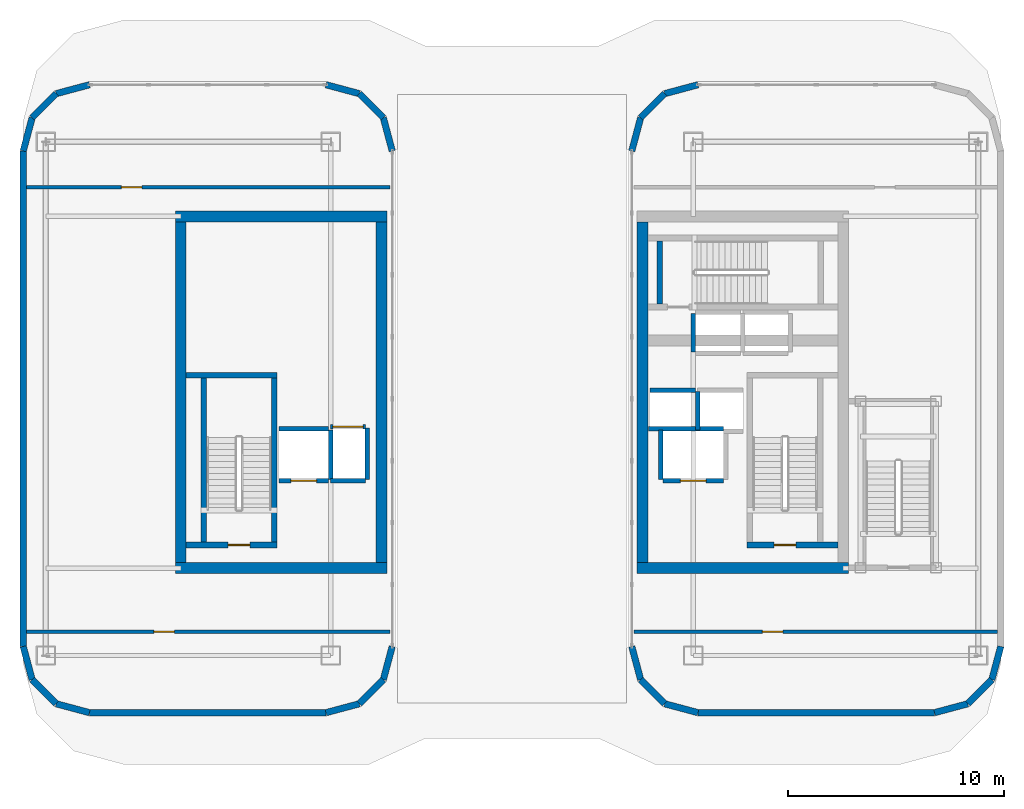
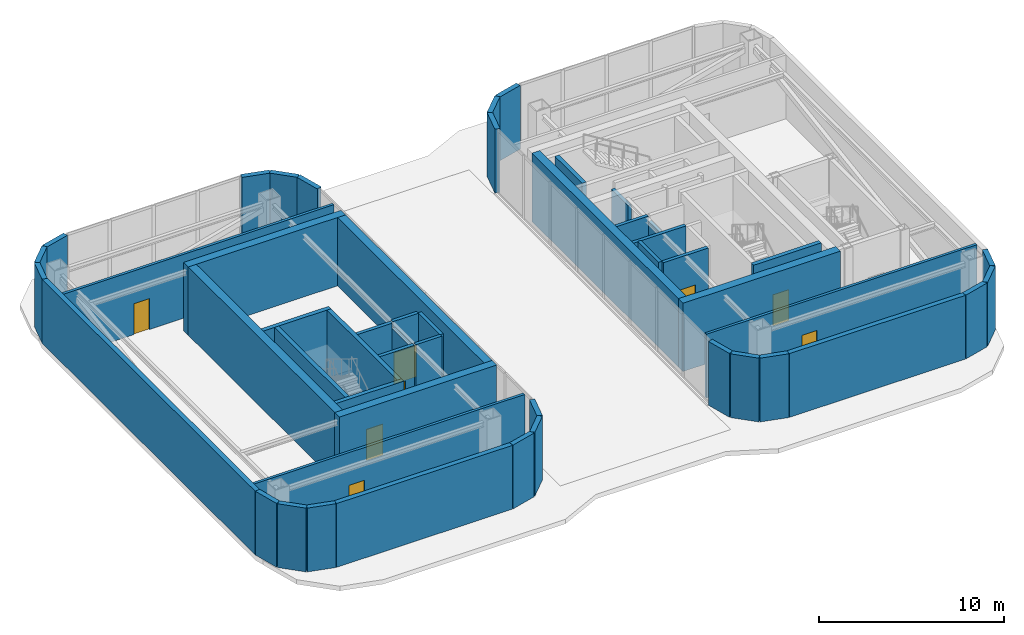
# One storey, part 11 of 14: 51 walls, 8 doors, 8 openings.
"""IFC4 building model written with IfcOpenShell, lengths in metres."""

from ifc_helpers import new_model, si_unit, direction, frame, frame_2d, origin, place, context, subcontext, project, spatial, rectangle, extrude, material, layer, layer_set, type_object, element, fill, save


model = new_model("IFC4")

# Units and contexts
model_context = context("Model", 3, precision=1e-05, world=origin(), true_north=direction((0.0, 1.0)))
body_context = subcontext(model_context, "Body", "Model", "MODEL_VIEW")
ifc_project = project(units=[si_unit("LENGTHUNIT", "METRE"), si_unit("AREAUNIT", "SQUARE_METRE"), si_unit("VOLUMEUNIT", "CUBIC_METRE"), si_unit("PLANEANGLEUNIT", "RADIAN"), si_unit("MASSUNIT", "GRAM", prefix="KILO")], contexts=[model_context])

# Site, building, storey
site_placement = place(None, origin())
site = spatial("IfcSite", under=ifc_project, at=site_placement, CompositionType="ELEMENT")
building_placement = place(site_placement, origin())
building = spatial("IfcBuilding", under=site, at=building_placement, Name="Kiyonajd Concourse Tower", CompositionType="ELEMENT")
storey_placement = place(building_placement, frame((0.0, 0.0, 354.89990234375)))
storey = spatial("IfcBuildingStorey", under=building, at=storey_placement, Name="L89", CompositionType="ELEMENT", Elevation=354.89990234375)

# Walls
ifc_material_1 = material(Name="Concrete C60/75", Category="concrete")
ifc_layer_1 = layer(ifc_material_1, 0.5)
ifc_layer_set_1 = layer_set([ifc_layer_1], Name="Concrete C60/75")
wall_type_1 = type_object("IfcWallType", Name="WL-CORE-500", PredefinedType="SHEAR", material=ifc_layer_set_1)
for number, where, z_axis, x_axis, name in (
    (1, (32.64990234375, 28.10009765625, 0.0), (0.0, 0.0, 1.0), (0.0, 1.0, 0.0), "L89 West Crown Outer Core Wall"),
    (2, (41.949951171875, 28.10009765625, 0.0), (0.0, 0.0, 1.0), (0.0, 1.0, 0.0), "L89 West Crown Inner Core Wall"),
):
    element("IfcWall", number, at=place(storey_placement, frame(where, z_axis=z_axis, x_axis=x_axis)), inside=storey, type_object=wall_type_1, Name=name, PredefinedType="SHEAR", context=body_context, shape_type="SweptSolid", body=[
        extrude(rectangle(XDim=15.7998046875, YDim=0.5, at=frame_2d((7.89990234375, 0.0))), origin(), (0.0, 0.0, 1.0), 4.5),
    ])
for number, where, z_axis, x_axis, name in (
    (3, (32.39990234375, 27.85009765625, 0.0), (0.0, 0.0, 1.0), (1.0, 0.0, 0.0), "L89 West Crown South Core Wall"),
    (4, (32.39990234375, 44.14990234375, 0.0), (0.0, 0.0, 1.0), (1.0, 0.0, 0.0), "L89 West Crown North Core Wall"),
):
    element("IfcWall", number, at=place(storey_placement, frame(where, z_axis=z_axis, x_axis=x_axis)), inside=storey, type_object=wall_type_1, Name=name, PredefinedType="SHEAR", context=body_context, shape_type="SweptSolid", body=[
        extrude(rectangle(XDim=9.800048828125, YDim=0.5, at=frame_2d((4.89990234375, 0.0))), origin(), (0.0, 0.0, 1.0), 4.5),
    ])
wall_1_placement = place(storey_placement, frame((54.050048828125, 28.10009765625, 0.0), z_axis=(0.0, 0.0, 1.0), x_axis=(0.0, 1.0, 0.0)))
element("IfcWall", 5, at=wall_1_placement, inside=storey, type_object=wall_type_1, Name="L89 East Crown Inner Core Wall", PredefinedType="SHEAR", context=body_context, shape_type="SweptSolid", body=[
    extrude(rectangle(XDim=15.7998046875, YDim=0.5, at=frame_2d((7.89990234375, 0.0))), origin(), (0.0, 0.0, 1.0), 4.5),
])
wall_2_placement = place(storey_placement, frame((53.800048828125, 27.85009765625, 0.0), z_axis=(0.0, 0.0, 1.0), x_axis=(1.0, 0.0, 0.0)))
element("IfcWall", 6, at=wall_2_placement, inside=storey, type_object=wall_type_1, Name="L89 East Crown South Core Wall", PredefinedType="SHEAR", context=body_context, shape_type="SweptSolid", body=[
    extrude(rectangle(XDim=9.800048828125, YDim=0.5, at=frame_2d((4.89990234375, 0.0))), origin(), (0.0, 0.0, 1.0), 4.5),
])
ifc_material_2 = material(Name="Precast concrete C50/60", Category="concrete")
ifc_layer_2 = layer(ifc_material_2, 0.300048828125)
ifc_layer_set_2 = layer_set([ifc_layer_2], Name="Precast concrete C50/60")
wall_type_2 = type_object("IfcWallType", Name="WL-CRN-300", PredefinedType="SOLIDWALL", material=ifc_layer_set_2)
wall_3_placement = place(storey_placement, frame((25.35009765625, 24.2197265625, 0.0), z_axis=(0.0, 0.0, 1.0), x_axis=(0.0, 1.0, 0.0)))
element("IfcWall", 7, at=wall_3_placement, inside=storey, type_object=wall_type_2, Name="L89 W Crown Enclosure Wall 01", PredefinedType="SOLIDWALL", context=body_context, shape_type="SweptSolid", body=[
    extrude(rectangle(XDim=22.96044921875, YDim=0.300048828125, at=frame_2d((11.480224609375, 0.0))), origin(), (0.0, 0.0, 1.0), 4.2001953125),
])
wall_4_placement = place(storey_placement, frame((25.35009765625, 47.18017578125, 0.0), z_axis=(0.0, 0.0, 1.0), x_axis=(0.258871110129, 0.965911874003, 0.0)))
element("IfcWall", 8, at=wall_4_placement, inside=storey, type_object=wall_type_2, Name="L89 W Crown Enclosure Wall 02", PredefinedType="SOLIDWALL", context=body_context, shape_type="SweptSolid", body=[
    extrude(rectangle(XDim=1.5966796875, YDim=0.300048828125, at=frame_2d((0.79833984375, 0.0))), origin(), (0.0, 0.0, 1.0), 4.2001953125),
])
wall_5_placement = place(storey_placement, frame((25.763427734375, 48.722412109375, 0.0), z_axis=(0.0, 0.0, 1.0), x_axis=(0.707184251115, 0.707029302769, 0.0)))
element("IfcWall", 9, at=wall_5_placement, inside=storey, type_object=wall_type_2, Name="L89 W Crown Enclosure Wall 03", PredefinedType="SOLIDWALL", context=body_context, shape_type="SweptSolid", body=[
    extrude(rectangle(XDim=1.57568359375, YDim=0.300048828125, at=frame_2d((0.787841796875, 0.0))), origin(), (0.0, 0.0, 1.0), 4.2001953125),
])
for number, where, z_axis, x_axis, name in (
    (10, (26.877685546875, 49.83642578125, 0.0), (0.0, 0.0, 1.0), (0.96587363116, 0.259013761467, 0.0), "L89 W Crown Enclosure Wall 04"),
    (11, (39.380126953125, 50.25, 0.0), (0.0, 0.0, 1.0), (0.96587363116, -0.259013761467, 0.0), "L89 W Crown Enclosure Wall 06"),
):
    element("IfcWall", number, at=place(storey_placement, frame(where, z_axis=z_axis, x_axis=x_axis)), inside=storey, type_object=wall_type_2, Name=name, PredefinedType="SOLIDWALL", context=body_context, shape_type="SweptSolid", body=[
        extrude(rectangle(XDim=1.5966796875, YDim=0.300048828125, at=frame_2d((0.79833984375, 0.0))), origin(), (0.0, 0.0, 1.0), 4.2001953125),
    ])
wall_6_placement = place(storey_placement, frame((40.92236328125, 49.83642578125, 0.0), z_axis=(0.0, 0.0, 1.0), x_axis=(0.707184251115, -0.707029302769, 0.0)))
element("IfcWall", 12, at=wall_6_placement, inside=storey, type_object=wall_type_2, Name="L89 W Crown Enclosure Wall 07", PredefinedType="SOLIDWALL", context=body_context, shape_type="SweptSolid", body=[
    extrude(rectangle(XDim=1.57568359375, YDim=0.300048828125, at=frame_2d((0.787841796875, 0.0))), origin(), (0.0, 0.0, 1.0), 4.2001953125),
])
wall_7_placement = place(storey_placement, frame((42.03662109375, 48.722412109375, 0.0), z_axis=(0.0, 0.0, 1.0), x_axis=(0.258871110129, -0.965911874003, 0.0)))
element("IfcWall", 13, at=wall_7_placement, inside=storey, type_object=wall_type_2, Name="L89 W Crown Enclosure Wall 08", PredefinedType="SOLIDWALL", context=body_context, shape_type="SweptSolid", body=[
    extrude(rectangle(XDim=1.5966796875, YDim=0.300048828125, at=frame_2d((0.79833984375, 0.0))), origin(), (0.0, 0.0, 1.0), 4.2001953125),
])
wall_8_placement = place(storey_placement, frame((42.449951171875, 24.2197265625, 0.0), z_axis=(0.0, 0.0, 1.0), x_axis=(-0.258909349397, -0.965901624802, 0.0)))
element("IfcWall", 14, at=wall_8_placement, inside=storey, type_object=wall_type_2, Name="L89 W Crown Enclosure Wall 10", PredefinedType="SOLIDWALL", context=body_context, shape_type="SweptSolid", body=[
    extrude(rectangle(XDim=1.596435546875, YDim=0.300048828125, at=frame_2d((0.79833984375, 0.0))), origin(), (0.0, 0.0, 1.0), 4.2001953125),
])
wall_9_placement = place(storey_placement, frame((42.03662109375, 22.677734375, 0.0), z_axis=(0.0, 0.0, 1.0), x_axis=(-0.707106781187, -0.707106781187, 0.0)))
element("IfcWall", 15, at=wall_9_placement, inside=storey, type_object=wall_type_2, Name="L89 W Crown Enclosure Wall 11", PredefinedType="SOLIDWALL", context=body_context, shape_type="SweptSolid", body=[
    extrude(rectangle(XDim=1.57568359375, YDim=0.300048828125, at=frame_2d((0.787841796875, 0.0))), origin(), (0.0, 0.0, 1.0), 4.2001953125),
])
wall_10_placement = place(storey_placement, frame((40.92236328125, 21.5634765625, 0.0), z_axis=(0.0, 0.0, 1.0), x_axis=(-0.96587363116, -0.259013761467, 0.0)))
element("IfcWall", 16, at=wall_10_placement, inside=storey, type_object=wall_type_2, Name="L89 W Crown Enclosure Wall 12", PredefinedType="SOLIDWALL", context=body_context, shape_type="SweptSolid", body=[
    extrude(rectangle(XDim=1.5966796875, YDim=0.300048828125, at=frame_2d((0.79833984375, 0.0))), origin(), (0.0, 0.0, 1.0), 4.2001953125),
])
wall_11_placement = place(storey_placement, frame((39.380126953125, 21.14990234375, 0.0), z_axis=(0.0, 0.0, 1.0), x_axis=(-1.0, 0.0, 0.0)))
element("IfcWall", 17, at=wall_11_placement, inside=storey, type_object=wall_type_2, Name="L89 W Crown Enclosure Wall 13", PredefinedType="SOLIDWALL", context=body_context, shape_type="SweptSolid", body=[
    extrude(rectangle(XDim=10.960205078125, YDim=0.300048828125, at=frame_2d((5.47998046875, 0.0))), origin(), (0.0, 0.0, 1.0), 4.2001953125),
])
wall_12_placement = place(storey_placement, frame((28.419921875, 21.14990234375, 0.0), z_axis=(0.0, 0.0, 1.0), x_axis=(-0.96587363116, 0.259013761467, 0.0)))
element("IfcWall", 18, at=wall_12_placement, inside=storey, type_object=wall_type_2, Name="L89 W Crown Enclosure Wall 14", PredefinedType="SOLIDWALL", context=body_context, shape_type="SweptSolid", body=[
    extrude(rectangle(XDim=1.5966796875, YDim=0.300048828125, at=frame_2d((0.79833984375, 0.0))), origin(), (0.0, 0.0, 1.0), 4.2001953125),
])
wall_13_placement = place(storey_placement, frame((26.877685546875, 21.5634765625, 0.0), z_axis=(0.0, 0.0, 1.0), x_axis=(-0.707106781187, 0.707106781187, 0.0)))
element("IfcWall", 19, at=wall_13_placement, inside=storey, type_object=wall_type_2, Name="L89 W Crown Enclosure Wall 15", PredefinedType="SOLIDWALL", context=body_context, shape_type="SweptSolid", body=[
    extrude(rectangle(XDim=1.57568359375, YDim=0.300048828125, at=frame_2d((0.787841796875, 0.0))), origin(), (0.0, 0.0, 1.0), 4.2001953125),
])
wall_14_placement = place(storey_placement, frame((25.763427734375, 22.677734375, 0.0), z_axis=(0.0, 0.0, 1.0), x_axis=(-0.258909349397, 0.965901624802, 0.0)))
element("IfcWall", 20, at=wall_14_placement, inside=storey, type_object=wall_type_2, Name="L89 W Crown Enclosure Wall 16", PredefinedType="SOLIDWALL", context=body_context, shape_type="SweptSolid", body=[
    extrude(rectangle(XDim=1.596435546875, YDim=0.300048828125, at=frame_2d((0.79833984375, 0.0))), origin(), (0.0, 0.0, 1.0), 4.2001953125),
])
wall_15_placement = place(storey_placement, frame((53.550048828125, 47.18017578125, 0.0), z_axis=(0.0, 0.0, 1.0), x_axis=(0.258871110129, 0.965911874003, 0.0)))
element("IfcWall", 21, at=wall_15_placement, inside=storey, type_object=wall_type_2, Name="L89 E Crown Enclosure Wall 02", PredefinedType="SOLIDWALL", context=body_context, shape_type="SweptSolid", body=[
    extrude(rectangle(XDim=1.5966796875, YDim=0.300048828125, at=frame_2d((0.79833984375, 0.0))), origin(), (0.0, 0.0, 1.0), 4.2001953125),
])
wall_16_placement = place(storey_placement, frame((53.96337890625, 48.722412109375, 0.0), z_axis=(0.0, 0.0, 1.0), x_axis=(0.707184251115, 0.707029302769, 0.0)))
element("IfcWall", 22, at=wall_16_placement, inside=storey, type_object=wall_type_2, Name="L89 E Crown Enclosure Wall 03", PredefinedType="SOLIDWALL", context=body_context, shape_type="SweptSolid", body=[
    extrude(rectangle(XDim=1.57568359375, YDim=0.300048828125, at=frame_2d((0.787841796875, 0.0))), origin(), (0.0, 0.0, 1.0), 4.2001953125),
])
wall_17_placement = place(storey_placement, frame((55.07763671875, 49.83642578125, 0.0), z_axis=(0.0, 0.0, 1.0), x_axis=(0.96587363116, 0.259013761467, 0.0)))
element("IfcWall", 23, at=wall_17_placement, inside=storey, type_object=wall_type_2, Name="L89 E Crown Enclosure Wall 04", PredefinedType="SOLIDWALL", context=body_context, shape_type="SweptSolid", body=[
    extrude(rectangle(XDim=1.5966796875, YDim=0.300048828125, at=frame_2d((0.79833984375, 0.0))), origin(), (0.0, 0.0, 1.0), 4.2001953125),
])
wall_18_placement = place(storey_placement, frame((70.64990234375, 24.2197265625, 0.0), z_axis=(0.0, 0.0, 1.0), x_axis=(-0.258909349397, -0.965901624802, 0.0)))
element("IfcWall", 24, at=wall_18_placement, inside=storey, type_object=wall_type_2, Name="L89 E Crown Enclosure Wall 10", PredefinedType="SOLIDWALL", context=body_context, shape_type="SweptSolid", body=[
    extrude(rectangle(XDim=1.596435546875, YDim=0.300048828125, at=frame_2d((0.79833984375, 0.0))), origin(), (0.0, 0.0, 1.0), 4.2001953125),
])
wall_19_placement = place(storey_placement, frame((70.236572265625, 22.677734375, 0.0), z_axis=(0.0, 0.0, 1.0), x_axis=(-0.707106781187, -0.707106781187, 0.0)))
element("IfcWall", 25, at=wall_19_placement, inside=storey, type_object=wall_type_2, Name="L89 E Crown Enclosure Wall 11", PredefinedType="SOLIDWALL", context=body_context, shape_type="SweptSolid", body=[
    extrude(rectangle(XDim=1.57568359375, YDim=0.300048828125, at=frame_2d((0.787841796875, 0.0))), origin(), (0.0, 0.0, 1.0), 4.2001953125),
])
wall_20_placement = place(storey_placement, frame((69.122314453125, 21.5634765625, 0.0), z_axis=(0.0, 0.0, 1.0), x_axis=(-0.96587363116, -0.259013761467, 0.0)))
element("IfcWall", 26, at=wall_20_placement, inside=storey, type_object=wall_type_2, Name="L89 E Crown Enclosure Wall 12", PredefinedType="SOLIDWALL", context=body_context, shape_type="SweptSolid", body=[
    extrude(rectangle(XDim=1.5966796875, YDim=0.300048828125, at=frame_2d((0.79833984375, 0.0))), origin(), (0.0, 0.0, 1.0), 4.2001953125),
])
wall_21_placement = place(storey_placement, frame((67.580078125, 21.14990234375, 0.0), z_axis=(0.0, 0.0, 1.0), x_axis=(-1.0, 0.0, 0.0)))
element("IfcWall", 27, at=wall_21_placement, inside=storey, type_object=wall_type_2, Name="L89 E Crown Enclosure Wall 13", PredefinedType="SOLIDWALL", context=body_context, shape_type="SweptSolid", body=[
    extrude(rectangle(XDim=10.960205078125, YDim=0.300048828125, at=frame_2d((5.47998046875, 0.0))), origin(), (0.0, 0.0, 1.0), 4.2001953125),
])
wall_22_placement = place(storey_placement, frame((56.619873046875, 21.14990234375, 0.0), z_axis=(0.0, 0.0, 1.0), x_axis=(-0.96587363116, 0.259013761467, 0.0)))
element("IfcWall", 28, at=wall_22_placement, inside=storey, type_object=wall_type_2, Name="L89 E Crown Enclosure Wall 14", PredefinedType="SOLIDWALL", context=body_context, shape_type="SweptSolid", body=[
    extrude(rectangle(XDim=1.5966796875, YDim=0.300048828125, at=frame_2d((0.79833984375, 0.0))), origin(), (0.0, 0.0, 1.0), 4.2001953125),
])
wall_23_placement = place(storey_placement, frame((55.07763671875, 21.5634765625, 0.0), z_axis=(0.0, 0.0, 1.0), x_axis=(-0.707106781187, 0.707106781187, 0.0)))
element("IfcWall", 29, at=wall_23_placement, inside=storey, type_object=wall_type_2, Name="L89 E Crown Enclosure Wall 15", PredefinedType="SOLIDWALL", context=body_context, shape_type="SweptSolid", body=[
    extrude(rectangle(XDim=1.57568359375, YDim=0.300048828125, at=frame_2d((0.787841796875, 0.0))), origin(), (0.0, 0.0, 1.0), 4.2001953125),
])
wall_24_placement = place(storey_placement, frame((53.96337890625, 22.677734375, 0.0), z_axis=(0.0, 0.0, 1.0), x_axis=(-0.258909349397, 0.965901624802, 0.0)))
element("IfcWall", 30, at=wall_24_placement, inside=storey, type_object=wall_type_2, Name="L89 E Crown Enclosure Wall 16", PredefinedType="SOLIDWALL", context=body_context, shape_type="SweptSolid", body=[
    extrude(rectangle(XDim=1.596435546875, YDim=0.300048828125, at=frame_2d((0.79833984375, 0.0))), origin(), (0.0, 0.0, 1.0), 4.2001953125),
])

# Wall, opening, door
ifc_material_3 = material(Name="Gypsum Board on Cold-Formed Steel Stud", Category="steel")
ifc_layer_3 = layer(ifc_material_3, 0.2099609375)
ifc_layer_set_3 = layer_set([ifc_layer_3], Name="Gypsum Board on Cold-Formed Steel Stud")
wall_type_3 = type_object("IfcWallType", Name="WL-SHAFT-210", PredefinedType="PARTITIONING", material=ifc_layer_set_3)
wall_25_placement = place(storey_placement, frame((37.199951171875, 31.89990234375, 0.0), z_axis=(0.0, 0.0, 1.0), x_axis=(1.0, 0.0, 0.0)))
wall_25 = element("IfcWall", 31, at=wall_25_placement, inside=storey, type_object=wall_type_3, Name="L89 Shaft Enclosure Wall", PredefinedType="PARTITIONING", context=body_context, shape_type="SweptSolid", body=[
    extrude(rectangle(XDim=2.300048828125, YDim=0.2099609375, at=frame_2d((1.14990234375, 0.0))), origin(), (0.0, 0.0, 1.0), 4.2001953125),
])
opening_1_placement = place(wall_25_placement, frame((0.550048828125, 0.0, 0.0)))
opening_1 = element("IfcOpeningElement", 32, at=opening_1_placement, cuts=wall_25, Name="Opening LD2", PredefinedType="OPENING", context=body_context, shape_type="SweptSolid", body=[
    extrude(rectangle(XDim=1.199951171875, YDim=2.0400390625, at=frame_2d((0.60009765625, 1.02001953125))), frame((0.0, 0.114990234375, 0.0), z_axis=(0.0, -1.0, 0.0), x_axis=(1.0, 0.0, 0.0)), (0.0, 0.0, 1.0), 0.22998046875),
])
ifc_material_4 = material(Name="Brushed Stainless Steel Cab Assembly", Category="steel")
door_type_1 = type_object("IfcDoorType", Name="DR-LD-1200", OperationType="DOUBLE_DOOR_SLIDING", PredefinedType="DOOR", material=ifc_material_4)
door_1_placement = place(opening_1_placement, origin())
door_1 = element("IfcDoor", 33, at=door_1_placement, inside=storey, type_object=door_type_1, Name="L89 Lift FFL1 Sliding Landing Door", OperationType="DOUBLE_DOOR_SLIDING", OverallHeight=2.0400390625, OverallWidth=1.199951171875, PredefinedType="DOOR", context=body_context, shape_type="SweptSolid", body=[
    extrude(rectangle(XDim=1.199951171875, YDim=2.0400390625, at=frame_2d((0.60009765625, 1.02001953125))), frame((0.0, 0.02490234375, 0.0), z_axis=(0.0, -1.0, 0.0), x_axis=(1.0, 0.0, 0.0)), (0.0, 0.0, 1.0), 0.050048828125),
])
fill(opening_1, door_1)

# Walls
wall_26_placement = place(storey_placement, frame((37.199951171875, 34.300048828125, 0.0), z_axis=(0.0, 0.0, 1.0), x_axis=(1.0, 0.0, 0.0)))
element("IfcWall", 34, at=wall_26_placement, inside=storey, type_object=wall_type_3, Name="L89 Shaft Enclosure Wall", PredefinedType="PARTITIONING", context=body_context, shape_type="SweptSolid", body=[
    extrude(rectangle(XDim=2.300048828125, YDim=0.2099609375, at=frame_2d((1.14990234375, 0.0))), origin(), (0.0, 0.0, 1.0), 4.2001953125),
])
wall_27_placement = place(storey_placement, frame((39.60009765625, 31.9599609375, 0.0), z_axis=(0.0, 0.0, 1.0), x_axis=(0.0, 1.0, 0.0)))
element("IfcWall", 35, at=wall_27_placement, inside=storey, type_object=wall_type_3, Name="L89 Shaft Enclosure Wall", PredefinedType="PARTITIONING", context=body_context, shape_type="SweptSolid", body=[
    extrude(rectangle(XDim=2.280029296875, YDim=0.2099609375, at=frame_2d((1.14013671875, 0.0))), origin(), (0.0, 0.0, 1.0), 3.839111328125),
])

# Wall, opening, door
wall_28_placement = place(storey_placement, frame((55.0, 31.89990234375, 0.0), z_axis=(0.0, 0.0, 1.0), x_axis=(1.0, 0.0, 0.0)))
wall_28 = element("IfcWall", 36, at=wall_28_placement, inside=storey, type_object=wall_type_3, Name="L89 Shaft Enclosure Wall", PredefinedType="PARTITIONING", context=body_context, shape_type="SweptSolid", body=[
    extrude(rectangle(XDim=2.800048828125, YDim=0.2099609375, at=frame_2d((1.39990234375, 0.0))), origin(), (0.0, 0.0, 1.0), 4.2001953125),
])
opening_2_placement = place(wall_28_placement, frame((0.800048828125, 0.0, 0.0)))
opening_2 = element("IfcOpeningElement", 37, at=opening_2_placement, cuts=wall_28, Name="Opening LD2", PredefinedType="OPENING", context=body_context, shape_type="SweptSolid", body=[
    extrude(rectangle(XDim=1.199951171875, YDim=2.0400390625, at=frame_2d((0.60009765625, 1.02001953125))), frame((0.0, 0.114990234375, 0.0), z_axis=(0.0, -1.0, 0.0), x_axis=(1.0, 0.0, 0.0)), (0.0, 0.0, 1.0), 0.22998046875),
])
door_2_placement = place(opening_2_placement, origin())
door_2 = element("IfcDoor", 38, at=door_2_placement, inside=storey, type_object=door_type_1, Name="L89 Lift FFL2 Sliding Landing Door", OperationType="DOUBLE_DOOR_SLIDING", OverallHeight=2.0400390625, OverallWidth=1.199951171875, PredefinedType="DOOR", context=body_context, shape_type="SweptSolid", body=[
    extrude(rectangle(XDim=1.199951171875, YDim=2.0400390625, at=frame_2d((0.60009765625, 1.02001953125))), frame((0.0, 0.02490234375, 0.0), z_axis=(0.0, -1.0, 0.0), x_axis=(1.0, 0.0, 0.0)), (0.0, 0.0, 1.0), 0.050048828125),
])
fill(opening_2, door_2)

# Walls
wall_29_placement = place(storey_placement, frame((54.320068359375, 34.300048828125, 0.0), z_axis=(0.0, 0.0, 1.0), x_axis=(1.0, 0.0, 0.0)))
element("IfcWall", 39, at=wall_29_placement, inside=storey, type_object=wall_type_3, Name="L89 Shaft Enclosure Wall", PredefinedType="PARTITIONING", context=body_context, shape_type="SweptSolid", body=[
    extrude(rectangle(XDim=3.47998046875, YDim=0.2099609375, at=frame_2d((1.739990234375, 0.0))), origin(), (0.0, 0.0, 1.0), 4.2001953125),
])
wall_30_placement = place(storey_placement, frame((54.89990234375, 31.9599609375, 0.0), z_axis=(0.0, 0.0, 1.0), x_axis=(0.0, 1.0, 0.0)))
element("IfcWall", 40, at=wall_30_placement, inside=storey, type_object=wall_type_3, Name="L89 Shaft Enclosure Wall", PredefinedType="PARTITIONING", context=body_context, shape_type="SweptSolid", body=[
    extrude(rectangle(XDim=2.280029296875, YDim=0.2099609375, at=frame_2d((1.14013671875, 0.0))), origin(), (0.0, 0.0, 1.0), 4.2001953125),
])

# Wall, opening, door
wall_31_placement = place(storey_placement, frame((39.60009765625, 34.39990234375, 0.0), z_axis=(0.0, 0.0, 1.0), x_axis=(1.0, 0.0, 0.0)))
wall_31 = element("IfcWall", 41, at=wall_31_placement, inside=storey, type_object=wall_type_3, Name="L89 Shaft Enclosure Wall", PredefinedType="PARTITIONING", context=body_context, shape_type="SweptSolid", body=[
    extrude(rectangle(XDim=1.599853515625, YDim=0.2099609375, at=frame_2d((0.7998046875, 0.0))), origin(), (0.0, 0.0, 1.0), 4.2001953125),
])
opening_3_placement = place(wall_31_placement, frame((0.10009765625, 0.0, 0.0)))
opening_3 = element("IfcOpeningElement", 42, at=opening_3_placement, cuts=wall_31, Name="Opening LD3", PredefinedType="OPENING", context=body_context, shape_type="SweptSolid", body=[
    extrude(rectangle(XDim=1.39990234375, YDim=2.06005859375, at=frame_2d((0.699951171875, 1.030029296875))), frame((0.0, 0.114990234375, 0.0), z_axis=(0.0, -1.0, 0.0), x_axis=(1.0, 0.0, 0.0)), (0.0, 0.0, 1.0), 0.22998046875),
])
door_type_2 = type_object("IfcDoorType", Name="DR-LD-1400", OperationType="DOUBLE_DOOR_SLIDING", PredefinedType="DOOR", material=ifc_material_4)
door_3_placement = place(opening_3_placement, origin())
door_3 = element("IfcDoor", 43, at=door_3_placement, inside=storey, type_object=door_type_2, Name="L89 Lift SVL1 Sliding Landing Door", OperationType="DOUBLE_DOOR_SLIDING", OverallHeight=2.06005859375, OverallWidth=1.39990234375, PredefinedType="DOOR", context=body_context, shape_type="SweptSolid", body=[
    extrude(rectangle(XDim=1.39990234375, YDim=2.06005859375, at=frame_2d((0.699951171875, 1.030029296875))), frame((0.0, 0.02490234375, 0.0), z_axis=(0.0, -1.0, 0.0), x_axis=(1.0, 0.0, 0.0)), (0.0, 0.0, 1.0), 0.050048828125),
])
fill(opening_3, door_3)

# Walls
wall_32_placement = place(storey_placement, frame((39.60009765625, 31.89990234375, 0.0), z_axis=(0.0, 0.0, 1.0), x_axis=(1.0, 0.0, 0.0)))
element("IfcWall", 44, at=wall_32_placement, inside=storey, type_object=wall_type_3, Name="L89 Shaft Enclosure Wall", PredefinedType="PARTITIONING", context=body_context, shape_type="SweptSolid", body=[
    extrude(rectangle(XDim=1.599853515625, YDim=0.2099609375, at=frame_2d((0.7998046875, 0.0))), origin(), (0.0, 0.0, 1.0), 4.2001953125),
])
wall_33_placement = place(storey_placement, frame((41.300048828125, 31.9599609375, 0.0), z_axis=(0.0, 0.0, 1.0), x_axis=(0.0, 1.0, 0.0)))
element("IfcWall", 45, at=wall_33_placement, inside=storey, type_object=wall_type_3, Name="L89 Shaft Enclosure Wall", PredefinedType="PARTITIONING", context=body_context, shape_type="SweptSolid", body=[
    extrude(rectangle(XDim=2.380126953125, YDim=0.2099609375, at=frame_2d((1.18994140625, 0.0))), origin(), (0.0, 0.0, 1.0), 4.2001953125),
])
wall_34_placement = place(storey_placement, frame((54.39990234375, 36.10009765625, 0.0), z_axis=(0.0, 0.0, 1.0), x_axis=(1.0, 0.0, 0.0)))
element("IfcWall", 46, at=wall_34_placement, inside=storey, type_object=wall_type_3, Name="L89 Shaft Enclosure Wall", PredefinedType="PARTITIONING", context=body_context, shape_type="SweptSolid", body=[
    extrude(rectangle(XDim=2.10009765625, YDim=0.2099609375, at=frame_2d((1.050048828125, 0.0))), origin(), (0.0, 0.0, 1.0), 4.2001953125),
])
wall_35_placement = place(storey_placement, frame((56.60009765625, 34.260009765625, 0.0), z_axis=(0.0, 0.0, 1.0), x_axis=(0.0, 1.0, 0.0)))
element("IfcWall", 47, at=wall_35_placement, inside=storey, type_object=wall_type_3, Name="L89 Shaft Enclosure Wall", PredefinedType="PARTITIONING", context=body_context, shape_type="SweptSolid", body=[
    extrude(rectangle(XDim=1.780029296875, YDim=0.2099609375, at=frame_2d((0.89013671875, 0.0))), origin(), (0.0, 0.0, 1.0), 3.839111328125),
])
wall_36_placement = place(storey_placement, frame((56.39990234375, 37.860107421875, 0.0), z_axis=(0.0, 0.0, 1.0), x_axis=(0.0, 1.0, 0.0)))
element("IfcWall", 48, at=wall_36_placement, inside=storey, type_object=wall_type_3, Name="L89 Shaft Enclosure Wall", PredefinedType="PARTITIONING", context=body_context, shape_type="SweptSolid", body=[
    extrude(rectangle(XDim=1.77978515625, YDim=0.2099609375, at=frame_2d((0.889892578125, 0.0))), origin(), (0.0, 0.0, 1.0), 3.839111328125),
])

# Wall, opening, door
ifc_layer_4 = layer(ifc_material_3, 0.169921875)
ifc_layer_set_4 = layer_set([ifc_layer_4], Name="Gypsum Board on Cold-Formed Steel Stud")
wall_type_4 = type_object("IfcWallType", Name="WL-SMK-170", PredefinedType="PARTITIONING", material=ifc_layer_set_4)
wall_37_placement = place(storey_placement, frame((25.4951171875, 24.89990234375, 0.0), z_axis=(0.0, 0.0, 1.0), x_axis=(1.0, 0.0, 0.0)))
wall_37 = element("IfcWall", 49, at=wall_37_placement, inside=storey, type_object=wall_type_4, Name="L89 Interior Partition Wall", PredefinedType="PARTITIONING", context=body_context, shape_type="SweptSolid", body=[
    extrude(rectangle(XDim=16.849853515625, YDim=0.169921875, at=frame_2d((8.4248046875, 0.0))), origin(), (0.0, 0.0, 1.0), 4.2001953125),
])
opening_4_placement = place(wall_37_placement, frame((5.905029296875, 0.0, 0.0)))
opening_4 = element("IfcOpeningElement", 50, at=opening_4_placement, cuts=wall_37, Name="Opening DF3", PredefinedType="OPENING", context=body_context, shape_type="SweptSolid", body=[
    extrude(rectangle(XDim=0.949951171875, YDim=2.0400390625, at=frame_2d((0.47509765625, 1.02001953125))), frame((0.0, 0.094970703125, 0.0), z_axis=(0.0, -1.0, 0.0), x_axis=(1.0, 0.0, 0.0)), (0.0, 0.0, 1.0), 0.18994140625),
])
door_type_3 = type_object("IfcDoorType", Name="DR-FD60-950", OperationType="NOTDEFINED", PredefinedType="DOOR", material=ifc_material_4)
door_4_placement = place(opening_4_placement, origin())
door_4 = element("IfcDoor", 51, at=door_4_placement, inside=storey, type_object=door_type_3, Name="L89 Interior Door", OperationType="SINGLE_SWING_RIGHT", OverallHeight=2.0400390625, OverallWidth=0.949951171875, PredefinedType="DOOR", context=body_context, shape_type="SweptSolid", body=[
    extrude(rectangle(XDim=0.949951171875, YDim=2.0400390625, at=frame_2d((0.47509765625, 1.02001953125))), frame((0.0, 0.02490234375, 0.0), z_axis=(0.0, -1.0, 0.0), x_axis=(1.0, 0.0, 0.0)), (0.0, 0.0, 1.0), 0.050048828125),
])
fill(opening_4, door_4)

wall_38_placement = place(storey_placement, frame((25.4951171875, 45.5, 0.0), z_axis=(0.0, 0.0, 1.0), x_axis=(1.0, 0.0, 0.0)))
wall_38 = element("IfcWall", 52, at=wall_38_placement, inside=storey, type_object=wall_type_4, Name="L89 Interior Partition Wall", PredefinedType="PARTITIONING", context=body_context, shape_type="SweptSolid", body=[
    extrude(rectangle(XDim=16.849853515625, YDim=0.169921875, at=frame_2d((8.4248046875, 0.0))), origin(), (0.0, 0.0, 1.0), 4.2001953125),
])
opening_5_placement = place(wall_38_placement, frame((4.405029296875, 0.0, 0.0)))
opening_5 = element("IfcOpeningElement", 53, at=opening_5_placement, cuts=wall_38, Name="Opening DF3", PredefinedType="OPENING", context=body_context, shape_type="SweptSolid", body=[
    extrude(rectangle(XDim=0.949951171875, YDim=2.0400390625, at=frame_2d((0.47509765625, 1.02001953125))), frame((0.0, 0.094970703125, 0.0), z_axis=(0.0, -1.0, 0.0), x_axis=(1.0, 0.0, 0.0)), (0.0, 0.0, 1.0), 0.18994140625),
])
door_5_placement = place(opening_5_placement, origin())
door_5 = element("IfcDoor", 54, at=door_5_placement, inside=storey, type_object=door_type_3, Name="L89 Interior Door", OperationType="SINGLE_SWING_LEFT", OverallHeight=2.0400390625, OverallWidth=0.949951171875, PredefinedType="DOOR", context=body_context, shape_type="SweptSolid", body=[
    extrude(rectangle(XDim=0.949951171875, YDim=2.0400390625, at=frame_2d((0.47509765625, 1.02001953125))), frame((0.0, 0.02490234375, 0.0), z_axis=(0.0, -1.0, 0.0), x_axis=(1.0, 0.0, 0.0)), (0.0, 0.0, 1.0), 0.050048828125),
])
fill(opening_5, door_5)

wall_39_placement = place(storey_placement, frame((53.655029296875, 24.89990234375, 0.0), z_axis=(0.0, 0.0, 1.0), x_axis=(1.0, 0.0, 0.0)))
wall_39 = element("IfcWall", 55, at=wall_39_placement, inside=storey, type_object=wall_type_4, Name="L89 Interior Partition Wall", PredefinedType="PARTITIONING", context=body_context, shape_type="SweptSolid", body=[
    extrude(rectangle(XDim=16.849853515625, YDim=0.169921875, at=frame_2d((8.4248046875, 0.0))), origin(), (0.0, 0.0, 1.0), 4.2001953125),
])
opening_6_placement = place(wall_39_placement, frame((5.945068359375, 0.0, 0.0)))
opening_6 = element("IfcOpeningElement", 56, at=opening_6_placement, cuts=wall_39, Name="Opening DF3", PredefinedType="OPENING", context=body_context, shape_type="SweptSolid", body=[
    extrude(rectangle(XDim=0.949951171875, YDim=2.0400390625, at=frame_2d((0.47509765625, 1.02001953125))), frame((0.0, 0.094970703125, 0.0), z_axis=(0.0, -1.0, 0.0), x_axis=(1.0, 0.0, 0.0)), (0.0, 0.0, 1.0), 0.18994140625),
])
door_6_placement = place(opening_6_placement, origin())
door_6 = element("IfcDoor", 57, at=door_6_placement, inside=storey, type_object=door_type_3, Name="L89 Interior Door", OperationType="SINGLE_SWING_RIGHT", OverallHeight=2.0400390625, OverallWidth=0.949951171875, PredefinedType="DOOR", context=body_context, shape_type="SweptSolid", body=[
    extrude(rectangle(XDim=0.949951171875, YDim=2.0400390625, at=frame_2d((0.47509765625, 1.02001953125))), frame((0.0, 0.02490234375, 0.0), z_axis=(0.0, -1.0, 0.0), x_axis=(1.0, 0.0, 0.0)), (0.0, 0.0, 1.0), 0.050048828125),
])
fill(opening_6, door_6)

ifc_material_5 = material(Name="Concrete C50/60", Category="concrete")
ifc_layer_5 = layer(ifc_material_5, 0.260009765625)
ifc_layer_set_5 = layer_set([ifc_layer_5], Name="Concrete C50/60")
wall_type_5 = type_object("IfcWallType", Name="WL-STAIR-260", PredefinedType="SHEAR", material=ifc_layer_set_5)
wall_40_placement = place(storey_placement, frame((32.89990234375, 28.919921875, 0.0), z_axis=(0.0, 0.0, 1.0), x_axis=(1.0, 0.0, 0.0)))
wall_40 = element("IfcWall", 58, at=wall_40_placement, inside=storey, type_object=wall_type_5, Name="L89 Stair ST1 Structural South Wall", PredefinedType="SHEAR", context=body_context, shape_type="SweptSolid", body=[
    extrude(rectangle(XDim=4.210205078125, YDim=0.260009765625, at=frame_2d((2.10498046875, 0.0))), origin(), (0.0, 0.0, 1.0), 4.5),
])
opening_7_placement = place(wall_40_placement, frame((1.949951171875, 0.0, 0.0)))
opening_7 = element("IfcOpeningElement", 59, at=opening_7_placement, cuts=wall_40, Name="Opening DF1", PredefinedType="OPENING", context=body_context, shape_type="SweptSolid", body=[
    extrude(rectangle(XDim=1.0, YDim=2.0400390625, at=frame_2d((0.5, 1.02001953125))), frame((0.0, 0.139892578125, 0.0), z_axis=(0.0, -1.0, 0.0), x_axis=(1.0, 0.0, 0.0)), (0.0, 0.0, 1.0), 0.280029296875),
])
door_type_4 = type_object("IfcDoorType", Name="DR-FD90-1000", OperationType="NOTDEFINED", PredefinedType="DOOR", material=ifc_material_4)
door_7_placement = place(opening_7_placement, origin())
door_7 = element("IfcDoor", 60, at=door_7_placement, inside=storey, type_object=door_type_4, Name="L89 Stair ST1 Enclosure Door", OperationType="SINGLE_SWING_RIGHT", OverallHeight=2.0400390625, OverallWidth=1.0, PredefinedType="DOOR", context=body_context, shape_type="SweptSolid", body=[
    extrude(rectangle(XDim=1.0, YDim=2.0400390625, at=frame_2d((0.5, 1.02001953125))), frame((0.0, 0.02490234375, 0.0), z_axis=(0.0, -1.0, 0.0), x_axis=(1.0, 0.0, 0.0)), (0.0, 0.0, 1.0), 0.050048828125),
])
fill(opening_7, door_7)

# Walls
wall_41_placement = place(storey_placement, frame((32.89990234375, 36.780029296875, 0.0), z_axis=(0.0, 0.0, 1.0), x_axis=(1.0, 0.0, 0.0)))
element("IfcWall", 61, at=wall_41_placement, inside=storey, type_object=wall_type_5, Name="L89 Stair ST1 Structural North Wall", PredefinedType="SHEAR", context=body_context, shape_type="SweptSolid", body=[
    extrude(rectangle(XDim=4.210205078125, YDim=0.260009765625, at=frame_2d((2.10498046875, 0.0))), origin(), (0.0, 0.0, 1.0), 4.5),
])
for number, where, z_axis, x_axis, name in (
    (62, (33.719970703125, 29.050048828125, 0.0), (0.0, 0.0, 1.0), (0.0, 1.0, 0.0), "L89 Stair ST1 Structural West Wall"),
    (63, (36.97998046875, 29.050048828125, 0.0), (0.0, 0.0, 1.0), (0.0, 1.0, 0.0), "L89 Stair ST1 Structural East Wall"),
):
    element("IfcWall", number, at=place(storey_placement, frame(where, z_axis=z_axis, x_axis=x_axis)), inside=storey, type_object=wall_type_5, Name=name, PredefinedType="SHEAR", context=body_context, shape_type="SweptSolid", body=[
        extrude(rectangle(XDim=7.599853515625, YDim=0.260009765625, at=frame_2d((3.7998046875, 0.0))), origin(), (0.0, 0.0, 1.0), 4.5),
    ])

# Wall, opening, door
wall_42_placement = place(storey_placement, frame((58.889892578125, 28.919921875, 0.0), z_axis=(0.0, 0.0, 1.0), x_axis=(1.0, 0.0, 0.0)))
wall_42 = element("IfcWall", 64, at=wall_42_placement, inside=storey, type_object=wall_type_5, Name="L89 Stair ST2 Structural South Wall", PredefinedType="SHEAR", context=body_context, shape_type="SweptSolid", body=[
    extrude(rectangle(XDim=4.210205078125, YDim=0.260009765625, at=frame_2d((2.10498046875, 0.0))), origin(), (0.0, 0.0, 1.0), 4.5),
])
opening_8_placement = place(wall_42_placement, frame((1.260009765625, 0.0, 0.0)))
opening_8 = element("IfcOpeningElement", 65, at=opening_8_placement, cuts=wall_42, Name="Opening DF1", PredefinedType="OPENING", context=body_context, shape_type="SweptSolid", body=[
    extrude(rectangle(XDim=1.0, YDim=2.0400390625, at=frame_2d((0.5, 1.02001953125))), frame((0.0, 0.139892578125, 0.0), z_axis=(0.0, -1.0, 0.0), x_axis=(1.0, 0.0, 0.0)), (0.0, 0.0, 1.0), 0.280029296875),
])
door_8_placement = place(opening_8_placement, origin())
door_8 = element("IfcDoor", 66, at=door_8_placement, inside=storey, type_object=door_type_4, Name="L89 Stair ST2 Enclosure Door", OperationType="SINGLE_SWING_RIGHT", OverallHeight=2.0400390625, OverallWidth=1.0, PredefinedType="DOOR", context=body_context, shape_type="SweptSolid", body=[
    extrude(rectangle(XDim=1.0, YDim=2.0400390625, at=frame_2d((0.5, 1.02001953125))), frame((0.0, 0.02490234375, 0.0), z_axis=(0.0, -1.0, 0.0), x_axis=(1.0, 0.0, 0.0)), (0.0, 0.0, 1.0), 0.050048828125),
])
fill(opening_8, door_8)

# Wall
wall_43_placement = place(storey_placement, frame((54.85009765625, 40.080078125, 0.0), z_axis=(0.0, 0.0, 1.0), x_axis=(0.0, 1.0, 0.0)))
element("IfcWall", 67, at=wall_43_placement, inside=storey, type_object=wall_type_5, Name="L89 Stair ST3 Structural West Wall", PredefinedType="SHEAR", context=body_context, shape_type="SweptSolid", body=[
    extrude(rectangle(XDim=2.93994140625, YDim=0.260009765625, at=frame_2d((1.469970703125, 0.0))), origin(), (0.0, 0.0, 1.0), 4.5),
])

save(model, "model.ifc")
